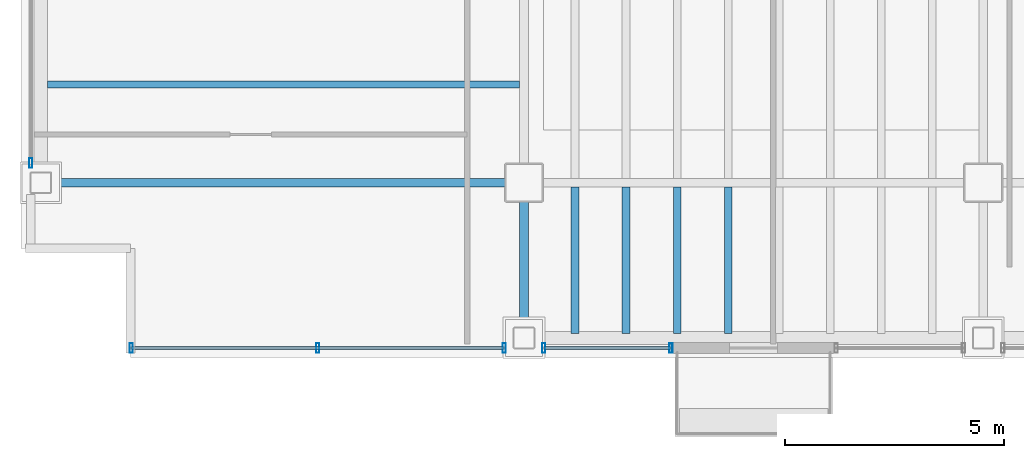
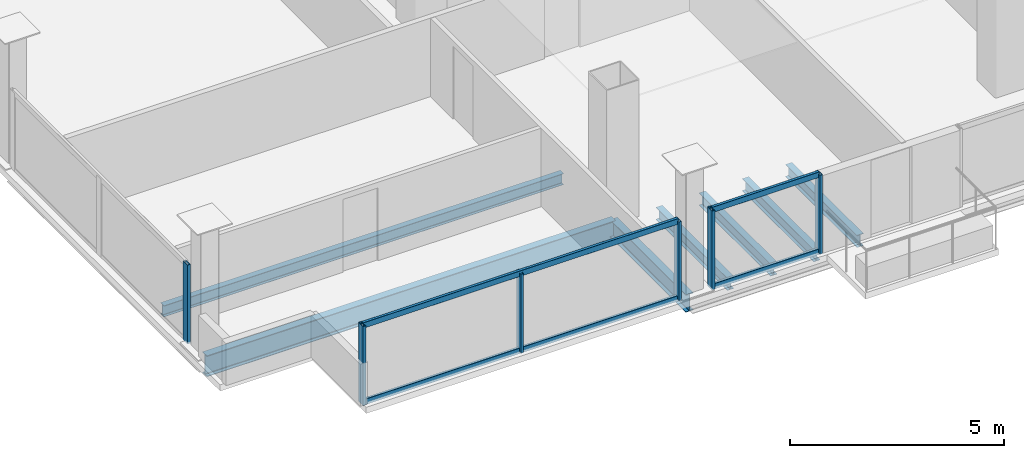
# One storey, part 2 of 19: 10 members, 7 beams, 3 elements without a shape of their own.
"""IFC4 building model written with IfcOpenShell, lengths in metres."""

from ifc_helpers import new_model, si_unit, direction, frame, origin, origin_2d, place, context, subcontext, project, spatial, hollow_rectangle, i_section, extrude, material, material_profile, profile_set, type_object, element, aggregate, save


model = new_model("IFC4")

# Units and contexts
model_context = context("Model", 3, precision=1e-05, world=origin(), true_north=direction((0.0, 1.0)))
body_context = subcontext(model_context, "Body", "Model", "MODEL_VIEW")
ifc_project = project(units=[si_unit("LENGTHUNIT", "METRE"), si_unit("AREAUNIT", "SQUARE_METRE"), si_unit("VOLUMEUNIT", "CUBIC_METRE"), si_unit("PLANEANGLEUNIT", "RADIAN"), si_unit("MASSUNIT", "GRAM", prefix="KILO")], contexts=[model_context])

# Site, building, storey
site_placement = place(None, origin())
site = spatial("IfcSite", under=ifc_project, at=site_placement, CompositionType="ELEMENT")
building_placement = place(site_placement, origin())
building = spatial("IfcBuilding", under=site, at=building_placement, Name="Noeulbin Bourse Tower", CompositionType="ELEMENT")
storey_placement = place(building_placement, frame((0.0, 0.0, 165.60009765625)))
storey = spatial("IfcBuildingStorey", under=building, at=storey_placement, Name="L41", CompositionType="ELEMENT", Elevation=165.60009765625)

# Beams
ifc_material_1 = material(Name="Steel S355", Category="steel")
ifc_material_profile_1 = material_profile(ifc_material_1, i_section(OverallWidth=0.199951171875, OverallDepth=0.5, WebThickness=0.010009765625, FlangeThickness=0.01611328125, FilletRadius=0.02001953125, at=origin_2d()), Name="H-500x200x10x16", Category="LoadBearing")
ifc_profile_set_1 = profile_set([ifc_material_profile_1], Name="Steel S355")
beam_type_1 = type_object("IfcBeamType", Name="BM-GRD-500", PredefinedType="USERDEFINED", material=ifc_profile_set_1)
beam_1_placement = place(storey_placement, frame((13.5, 16.449951171875, -0.43017578125), z_axis=(0.0, 1.0, 0.0), x_axis=(-1.0, 0.0, 0.0)))
element("IfcBeam", 1, at=beam_1_placement, inside=storey, type_object=beam_type_1, Name="Tower Primary Girder NS L41-1.1", ObjectType="GIRDER", PredefinedType="USERDEFINED", context=body_context, shape_type="SweptSolid", body=[
    extrude(i_section(OverallWidth=0.199951171875, OverallDepth=0.5, WebThickness=0.010009765625, FlangeThickness=0.01611328125, FilletRadius=0.02001953125, at=origin_2d()), origin(), (0.0, 0.0, 1.0), 3.550048828125),
])
ifc_material_profile_2 = material_profile(ifc_material_1, i_section(OverallWidth=0.199951171875, OverallDepth=0.60009765625, WebThickness=0.010986328125, FlangeThickness=0.01708984375, FilletRadius=0.02197265625, at=origin_2d()), Name="H-600x200x11x17", Category="LoadBearing")
ifc_profile_set_2 = profile_set([ifc_material_profile_2], Name="Steel S355")
beam_type_2 = type_object("IfcBeamType", Name="BM-GRD-600", PredefinedType="USERDEFINED", material=ifc_profile_set_2)
beam_2_placement = place(storey_placement, frame((2.449951171875, 20.0, -0.47998046875), z_axis=(1.0, 0.0, 0.0), x_axis=(0.0, 1.0, 0.0)))
element("IfcBeam", 2, at=beam_2_placement, inside=storey, type_object=beam_type_2, Name="Tower Primary Girder EW L41-1.1", ObjectType="GIRDER", PredefinedType="USERDEFINED", context=body_context, shape_type="SweptSolid", body=[
    extrude(i_section(OverallWidth=0.199951171875, OverallDepth=0.60009765625, WebThickness=0.010986328125, FlangeThickness=0.01708984375, FilletRadius=0.02197265625, at=origin_2d()), origin(), (0.0, 0.0, 1.0), 11.050048828125),
])
ifc_material_profile_3 = material_profile(ifc_material_1, i_section(OverallWidth=0.159912109375, OverallDepth=0.320068359375, WebThickness=0.006591796875, FlangeThickness=0.010009765625, FilletRadius=0.012939453125, at=origin_2d()), Name="H-320x160x6.5x10", Category="LoadBearing")
ifc_profile_set_3 = profile_set([ifc_material_profile_3], Name="Steel S355")
beam_type_3 = type_object("IfcBeamType", Name="BM-JST-320", PredefinedType="JOIST", material=ifc_profile_set_3)
beam_3_placement = place(storey_placement, frame((2.60009765625, 22.25, -0.340087890625), z_axis=(1.0, 0.0, 0.0), x_axis=(0.0, 1.0, 0.0)))
element("IfcBeam", 3, at=beam_3_placement, inside=storey, type_object=beam_type_3, Name="Wing Composite Joist L41-W70", PredefinedType="JOIST", context=body_context, shape_type="SweptSolid", body=[
    extrude(i_section(OverallWidth=0.159912109375, OverallDepth=0.320068359375, WebThickness=0.006591796875, FlangeThickness=0.010009765625, FilletRadius=0.012939453125, at=origin_2d()), origin(), (0.0, 0.0, 1.0), 10.7998046875),
])
ifc_material_profile_4 = material_profile(ifc_material_1, i_section(OverallWidth=0.175048828125, OverallDepth=0.35009765625, WebThickness=0.007080078125, FlangeThickness=0.010986328125, FilletRadius=0.013916015625, at=origin_2d()), Name="H-350x175x7x11", Category="LoadBearing")
ifc_profile_set_4 = profile_set([ifc_material_profile_4], Name="Steel S355")
beam_type_4 = type_object("IfcBeamType", Name="BM-JST-350", PredefinedType="JOIST", material=ifc_profile_set_4)
for number, where, z_axis, x_axis, name in (
    (4, (14.666748046875, 16.550048828125, -0.35498046875), (0.0, 1.0, 0.0), (-1.0, 0.0, 0.0), "Tower Composite Joist L41-01"),
    (5, (15.833251953125, 16.550048828125, -0.35498046875), (0.0, 1.0, 0.0), (-1.0, 0.0, 0.0), "Tower Composite Joist L41-04"),
    (6, (17.0, 16.550048828125, -0.35498046875), (0.0, 1.0, 0.0), (-1.0, 0.0, 0.0), "Tower Composite Joist L41-07"),
    (7, (18.166748046875, 16.550048828125, -0.35498046875), (0.0, 1.0, 0.0), (-1.0, 0.0, 0.0), "Tower Composite Joist L41-10"),
):
    element("IfcBeam", number, at=place(storey_placement, frame(where, z_axis=z_axis, x_axis=x_axis)), inside=storey, type_object=beam_type_4, Name=name, PredefinedType="JOIST", context=body_context, shape_type="SweptSolid", body=[
        extrude(i_section(OverallWidth=0.175048828125, OverallDepth=0.35009765625, WebThickness=0.007080078125, FlangeThickness=0.010986328125, FilletRadius=0.013916015625, at=origin_2d()), origin(), (0.0, 0.0, 1.0), 3.349853515625),
    ])

# Curtain wall, members
ifc_material_2 = material(Name="Dark Tinted Triple Glazing", Category="glass")
curtain_wall_type = type_object("IfcCurtainWallType", Name="CW-SYS-3", PredefinedType="NOTDEFINED", material=ifc_material_2)
curtain_wall_1_placement = place(storey_placement, origin())
curtain_wall_1 = element("IfcCurtainWall", 8, at=curtain_wall_1_placement, inside=storey, type_object=curtain_wall_type, Name="Unitised Curtain Wall CW-L41-S1-S1", PredefinedType="NOTDEFINED")
ifc_material_3 = material(Name="Anodised Aluminium 6063-T6", Category="aluminium")
ifc_material_profile_5 = material_profile(ifc_material_3, hollow_rectangle(XDim=0.074951171875, YDim=0.219970703125, WallThickness=0.0048828125, InnerFilletRadius=0.00244140625, OuterFilletRadius=0.0048828125, at=origin_2d()), Name="ALU-MULL-75x220x5", Category="LoadBearing")
ifc_profile_set_5 = profile_set([ifc_material_profile_5], Name="Anodised Aluminium 6063-T6")
member_type_1 = type_object("IfcMemberType", Name="CW-SYS-3-MUL", PredefinedType="MULLION", material=ifc_profile_set_5)
member_1_placement = place(storey_placement, frame((4.52001953125, 16.219970703125, -0.02001953125), z_axis=(0.0, 0.0, 1.0), x_axis=(1.0, 0.0, 0.0)))
member_1 = element("IfcMember", 9, at=member_1_placement, type_object=member_type_1, Name="Curtain Wall Mullion CW-L41-S1-S1-M00", PredefinedType="MULLION", context=body_context, shape_type="SweptSolid", body=[
    extrude(hollow_rectangle(XDim=0.074951171875, YDim=0.219970703125, WallThickness=0.0048828125, InnerFilletRadius=0.00244140625, OuterFilletRadius=0.0048828125, at=origin_2d()), origin(), (0.0, 0.0, 1.0), 2.260009765625),
])
member_2_placement = place(storey_placement, frame((8.784912109375, 16.219970703125, -0.02001953125), z_axis=(0.0, 0.0, 1.0), x_axis=(1.0, 0.0, 0.0)))
member_2 = element("IfcMember", 10, at=member_2_placement, type_object=member_type_1, Name="Curtain Wall Mullion CW-L41-S1-S1-M01", PredefinedType="MULLION", context=body_context, shape_type="SweptSolid", body=[
    extrude(hollow_rectangle(XDim=0.074951171875, YDim=0.219970703125, WallThickness=0.0048828125, InnerFilletRadius=0.00244140625, OuterFilletRadius=0.0048828125, at=origin_2d()), origin(), (0.0, 0.0, 1.0), 2.260009765625),
])
member_3_placement = place(storey_placement, frame((13.050048828125, 16.219970703125, -0.02001953125), z_axis=(0.0, 0.0, 1.0), x_axis=(1.0, 0.0, 0.0)))
member_3 = element("IfcMember", 11, at=member_3_placement, type_object=member_type_1, Name="Curtain Wall Mullion CW-L41-S1-S1-M02", PredefinedType="MULLION", context=body_context, shape_type="SweptSolid", body=[
    extrude(hollow_rectangle(XDim=0.074951171875, YDim=0.219970703125, WallThickness=0.0048828125, InnerFilletRadius=0.00244140625, OuterFilletRadius=0.0048828125, at=origin_2d()), origin(), (0.0, 0.0, 1.0), 2.260009765625),
])

curtain_wall_2_placement = place(storey_placement, origin())
curtain_wall_2 = element("IfcCurtainWall", 12, at=curtain_wall_2_placement, inside=storey, type_object=curtain_wall_type, Name="Unitised Curtain Wall CW-L41-S1-S2", PredefinedType="NOTDEFINED")
member_4_placement = place(storey_placement, frame((13.949951171875, 16.219970703125, -0.02001953125), z_axis=(0.0, 0.0, 1.0), x_axis=(1.0, 0.0, 0.0)))
member_4 = element("IfcMember", 13, at=member_4_placement, type_object=member_type_1, Name="Curtain Wall Mullion CW-L41-S1-S2-M00", PredefinedType="MULLION", context=body_context, shape_type="SweptSolid", body=[
    extrude(hollow_rectangle(XDim=0.074951171875, YDim=0.219970703125, WallThickness=0.0048828125, InnerFilletRadius=0.00244140625, OuterFilletRadius=0.0048828125, at=origin_2d()), origin(), (0.0, 0.0, 1.0), 2.260009765625),
])
member_5_placement = place(storey_placement, frame((16.860107421875, 16.219970703125, -0.02001953125), z_axis=(0.0, 0.0, 1.0), x_axis=(1.0, 0.0, 0.0)))
member_5 = element("IfcMember", 14, at=member_5_placement, type_object=member_type_1, Name="Curtain Wall Mullion CW-L41-S1-S2-M01", PredefinedType="MULLION", context=body_context, shape_type="SweptSolid", body=[
    extrude(hollow_rectangle(XDim=0.074951171875, YDim=0.219970703125, WallThickness=0.0048828125, InnerFilletRadius=0.00244140625, OuterFilletRadius=0.0048828125, at=origin_2d()), origin(), (0.0, 0.0, 1.0), 2.260009765625),
])

# Curtain wall, member
curtain_wall_3_placement = place(storey_placement, origin())
curtain_wall_3 = element("IfcCurtainWall", 15, at=curtain_wall_3_placement, inside=storey, type_object=curtain_wall_type, Name="Unitised Curtain Wall CW-L41-W-S1", PredefinedType="NOTDEFINED")
member_6_placement = place(storey_placement, frame((2.219970703125, 20.449951171875, -0.02001953125), z_axis=(0.0, 0.0, 1.0), x_axis=(1.0, 0.0, 0.0)))
member_6 = element("IfcMember", 16, at=member_6_placement, type_object=member_type_1, Name="Curtain Wall Mullion CW-L41-W-S1-M00", PredefinedType="MULLION", context=body_context, shape_type="SweptSolid", body=[
    extrude(hollow_rectangle(XDim=0.074951171875, YDim=0.219970703125, WallThickness=0.0048828125, InnerFilletRadius=0.00244140625, OuterFilletRadius=0.0048828125, at=origin_2d()), origin(), (0.0, 0.0, 1.0), 2.260009765625),
])
aggregate(curtain_wall_3, [member_6])

# Member
ifc_material_profile_6 = material_profile(ifc_material_3, hollow_rectangle(XDim=0.074951171875, YDim=0.159912109375, WallThickness=0.0048828125, InnerFilletRadius=0.00244140625, OuterFilletRadius=0.0048828125, at=origin_2d()), Name="ALU-TRAN-75x160x5", Category="LoadBearing")
ifc_profile_set_6 = profile_set([ifc_material_profile_6], Name="Anodised Aluminium 6063-T6")
member_type_2 = type_object("IfcMemberType", Name="CW-SYS-3-TRN", PredefinedType="USERDEFINED", material=ifc_profile_set_6)
member_7_placement = place(storey_placement, frame((4.530029296875, 16.219970703125, 0.010009765625), z_axis=(1.0, 0.0, 0.0), x_axis=(0.0, 1.0, 0.0)))
member_7 = element("IfcMember", 17, at=member_7_placement, type_object=member_type_2, Name="Curtain Wall Transom CW-L41-S1-S1-T00", ObjectType="TRANSOM", PredefinedType="USERDEFINED", context=body_context, shape_type="SweptSolid", body=[
    extrude(hollow_rectangle(XDim=0.074951171875, YDim=0.159912109375, WallThickness=0.0048828125, InnerFilletRadius=0.00244140625, OuterFilletRadius=0.0048828125, at=origin_2d()), origin(), (0.0, 0.0, 1.0), 8.510009765625),
])

member_8_placement = place(storey_placement, frame((4.530029296875, 16.219970703125, 2.2099609375), z_axis=(1.0, 0.0, 0.0), x_axis=(0.0, 1.0, 0.0)))
member_8 = element("IfcMember", 18, at=member_8_placement, type_object=member_type_2, Name="Curtain Wall Transom CW-L41-S1-S1-T01", ObjectType="TRANSOM", PredefinedType="USERDEFINED", context=body_context, shape_type="SweptSolid", body=[
    extrude(hollow_rectangle(XDim=0.074951171875, YDim=0.159912109375, WallThickness=0.0048828125, InnerFilletRadius=0.00244140625, OuterFilletRadius=0.0048828125, at=origin_2d()), origin(), (0.0, 0.0, 1.0), 8.510009765625),
])

aggregate(curtain_wall_1, [member_1, member_2, member_3, member_7, member_8])

member_9_placement = place(storey_placement, frame((13.9599609375, 16.219970703125, 0.010009765625), z_axis=(1.0, 0.0, 0.0), x_axis=(0.0, 1.0, 0.0)))
member_9 = element("IfcMember", 19, at=member_9_placement, type_object=member_type_2, Name="Curtain Wall Transom CW-L41-S1-S2-T00", ObjectType="TRANSOM", PredefinedType="USERDEFINED", context=body_context, shape_type="SweptSolid", body=[
    extrude(hollow_rectangle(XDim=0.074951171875, YDim=0.159912109375, WallThickness=0.0048828125, InnerFilletRadius=0.00244140625, OuterFilletRadius=0.0048828125, at=origin_2d()), origin(), (0.0, 0.0, 1.0), 2.89013671875),
])

member_10_placement = place(storey_placement, frame((13.9599609375, 16.219970703125, 2.2099609375), z_axis=(1.0, 0.0, 0.0), x_axis=(0.0, 1.0, 0.0)))
member_10 = element("IfcMember", 20, at=member_10_placement, type_object=member_type_2, Name="Curtain Wall Transom CW-L41-S1-S2-T01", ObjectType="TRANSOM", PredefinedType="USERDEFINED", context=body_context, shape_type="SweptSolid", body=[
    extrude(hollow_rectangle(XDim=0.074951171875, YDim=0.159912109375, WallThickness=0.0048828125, InnerFilletRadius=0.00244140625, OuterFilletRadius=0.0048828125, at=origin_2d()), origin(), (0.0, 0.0, 1.0), 2.89013671875),
])

aggregate(curtain_wall_2, [member_4, member_5, member_9, member_10])

save(model, "model.ifc")
